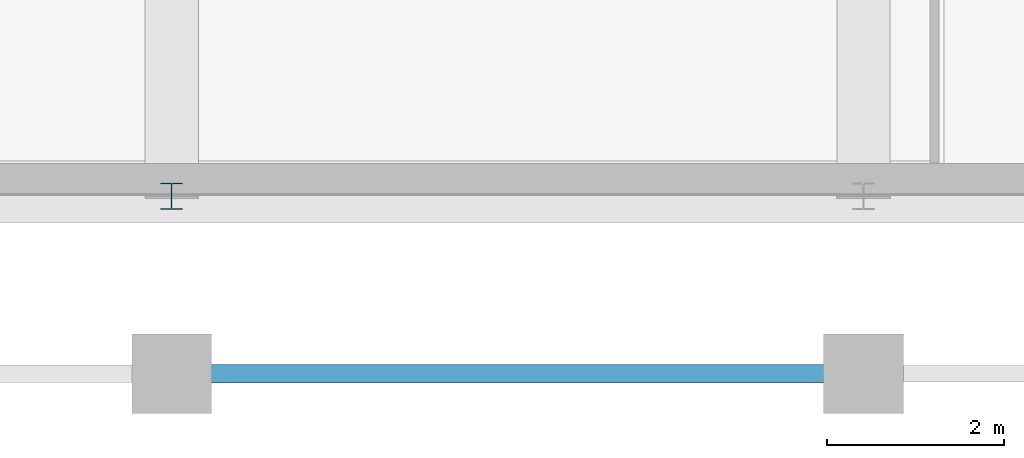
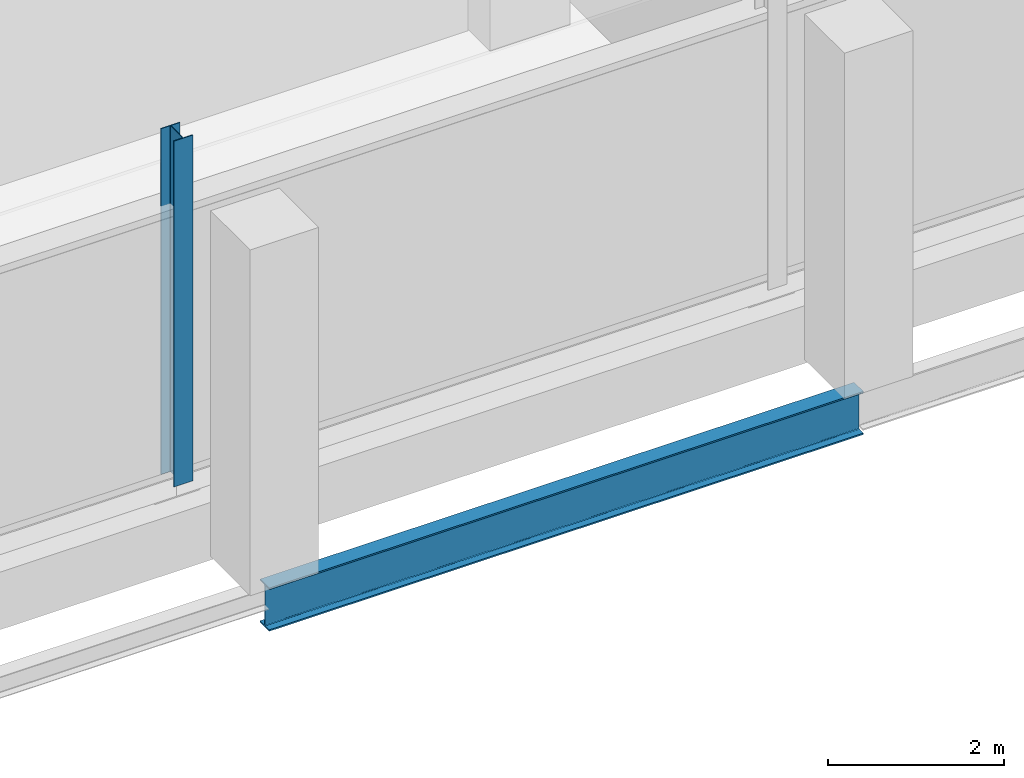
# One storey, part 32 of 100: 1 beam, 1 member.
"""IFC4 building model written with IfcOpenShell, lengths in metres."""

from ifc_helpers import new_model, si_unit, derived_unit, direction, frame, origin, origin_2d, place, context, subcontext, project, spatial, i_section, extrude, material, material_profile, profile_set, type_object, element, save


model = new_model("IFC4")

# Units and contexts
model_context = context("Model", 3, precision=1e-05, world=origin(), true_north=direction((0.0, 1.0)))
body_context = subcontext(model_context, "Body", "Model", "MODEL_VIEW")
ifc_project = project(units=[si_unit("LENGTHUNIT", "METRE"), si_unit("AREAUNIT", "SQUARE_METRE"), si_unit("VOLUMEUNIT", "CUBIC_METRE"), si_unit("PLANEANGLEUNIT", "RADIAN"), si_unit("MASSUNIT", "GRAM", prefix="KILO"), derived_unit("THERMALTRANSMITTANCEUNIT", [(si_unit("POWERUNIT", "WATT"), 1), (si_unit("LENGTHUNIT", "METRE"), -2), (si_unit("THERMODYNAMICTEMPERATUREUNIT", "KELVIN"), -1)])], contexts=[model_context])

# Site, building, storey
site_placement = place(None, origin())
site = spatial("IfcSite", under=ifc_project, at=site_placement, CompositionType="ELEMENT")
building_placement = place(site_placement, origin())
building = spatial("IfcBuilding", under=site, at=building_placement, Name="Nallur Shell Playhouse", CompositionType="ELEMENT")
storey_placement = place(building_placement, frame((0.0, 0.0, 10.199951171875)))
storey = spatial("IfcBuildingStorey", under=building, at=storey_placement, Name="L03", CompositionType="ELEMENT", Elevation=10.199951171875)

# Beam
ifc_material = material(Name="Steel E350", Category="steel")
ifc_material_profile_1 = material_profile(ifc_material, i_section(OverallWidth=0.2099609375, OverallDepth=0.60009765625, WebThickness=0.011962890625, FlangeThickness=0.020751953125, FilletRadius=0.02001953125, at=origin_2d()), Name="ISMB 600")
ifc_profile_set_1 = profile_set([ifc_material_profile_1], Name="Steel E350")
beam_type = type_object("IfcBeamType", Name="BM-ST-ISMB600", PredefinedType="BEAM", material=ifc_profile_set_1)
beam_placement = place(storey_placement, frame((87.39990234375, 8.0, -0.56005859375), z_axis=(1.0, 0.0, 0.0), x_axis=(0.0, 1.0, 0.0)))
element("IfcBeam", 1, at=beam_placement, inside=storey, type_object=beam_type, Name="L03 girder X-A-584", PredefinedType="BEAM", context=body_context, shape_type="SweptSolid", body=[
    extrude(i_section(OverallWidth=0.2099609375, OverallDepth=0.60009765625, WebThickness=0.011962890625, FlangeThickness=0.020751953125, FilletRadius=0.02001953125, at=origin_2d()), origin(), (0.0, 0.0, 1.0), 7.800048828125),
])

# Member
ifc_material_profile_2 = material_profile(ifc_material, i_section(OverallWidth=0.25, OverallDepth=0.300048828125, WebThickness=0.009521484375, FlangeThickness=0.010498046875, FilletRadius=0.010986328125, at=origin_2d()), Name="ISHB 300")
ifc_profile_set_2 = profile_set([ifc_material_profile_2], Name="Steel E350")
member_type = type_object("IfcMemberType", Name="MB-FASCIA-POST", PredefinedType="POST", material=ifc_profile_set_2)
member_placement = place(storey_placement, frame((87.39990234375, 10.0, 0.0), z_axis=(0.0, 0.0, 1.0), x_axis=(1.0, 0.0, 0.0)))
element("IfcMember", 2, at=member_placement, inside=storey, type_object=member_type, Name="Cantilever truss fascia post POST-GB-L03-04", PredefinedType="POST", context=body_context, shape_type="SweptSolid", body=[
    extrude(i_section(OverallWidth=0.25, OverallDepth=0.300048828125, WebThickness=0.009521484375, FlangeThickness=0.010498046875, FilletRadius=0.010986328125, at=origin_2d()), origin(), (0.0, 0.0, 1.0), 4.800048828125),
])

save(model, "model.ifc")
